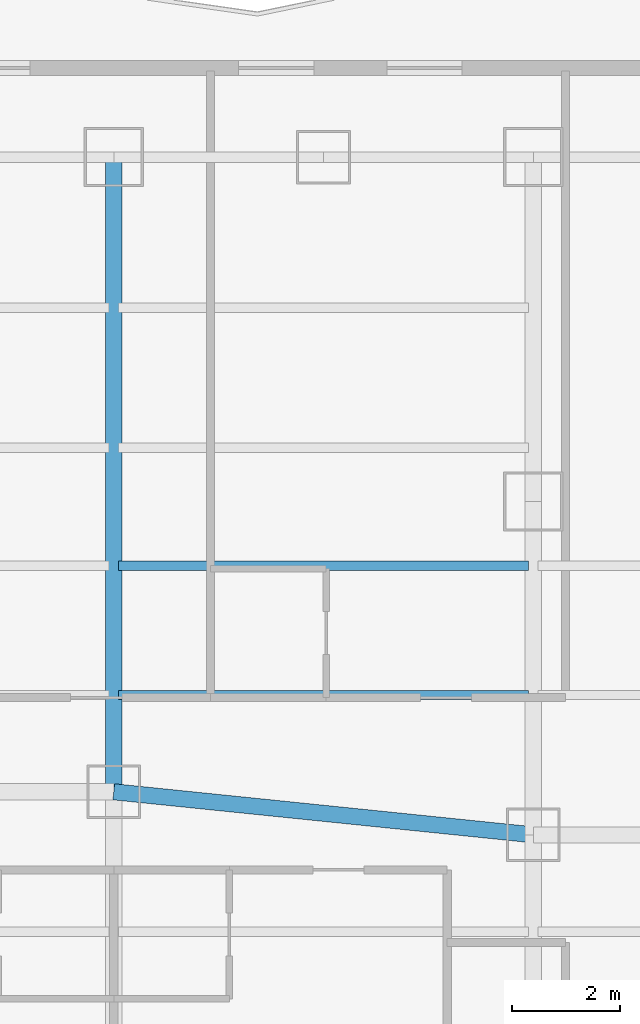
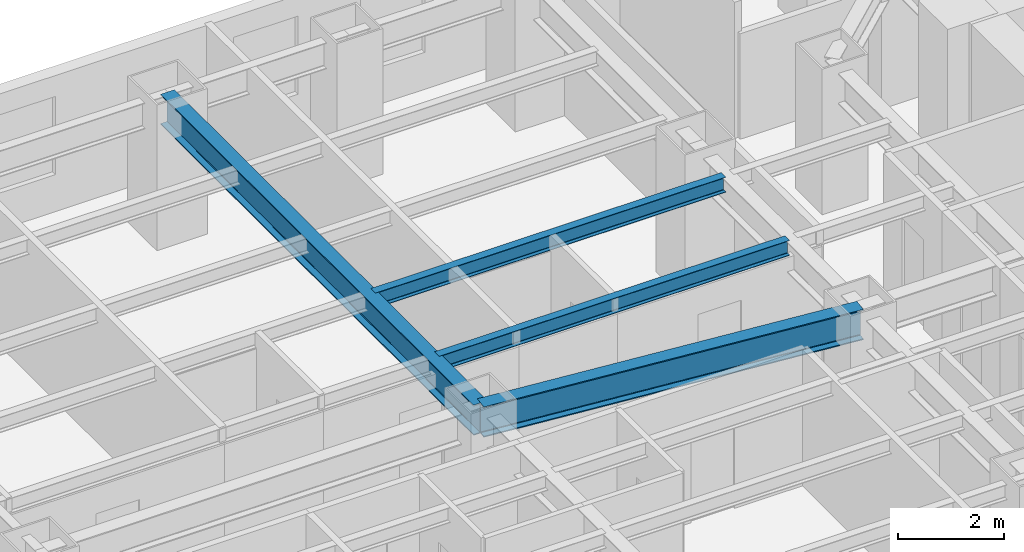
# One storey, part 15 of 32: 4 beams.
"""IFC4 building model written with IfcOpenShell, lengths in metres."""

from ifc_helpers import new_model, si_unit, direction, frame, origin, origin_2d, place, context, subcontext, project, spatial, i_section, extrude, material, material_profile, profile_set, type_object, element, save


model = new_model("IFC4")

# Units and contexts
model_context = context("Model", 3, precision=1e-05, world=origin(), true_north=direction((0.0, 1.0)))
body_context = subcontext(model_context, "Body", "Model", "MODEL_VIEW")
ifc_project = project(units=[si_unit("LENGTHUNIT", "METRE"), si_unit("AREAUNIT", "SQUARE_METRE"), si_unit("VOLUMEUNIT", "CUBIC_METRE"), si_unit("PLANEANGLEUNIT", "RADIAN"), si_unit("MASSUNIT", "GRAM", prefix="KILO")], contexts=[model_context])

# Site, building, storey
site_placement = place(None, origin())
site = spatial("IfcSite", under=ifc_project, at=site_placement, CompositionType="ELEMENT")
building_placement = place(site_placement, origin())
building = spatial("IfcBuilding", under=site, at=building_placement, Name="Hatsunagi Terrace Concourse", CompositionType="ELEMENT")
storey_placement = place(building_placement, frame((0.0, 0.0, 36.60009765625)))
storey = spatial("IfcBuildingStorey", under=building, at=storey_placement, Name="L08", CompositionType="ELEMENT", Elevation=36.60009765625)

# Beams
ifc_material_1 = material(Name="Steel SN490B", Category="steel")
ifc_material_profile_1 = material_profile(ifc_material_1, i_section(OverallWidth=0.300048828125, OverallDepth=0.699951171875, WebThickness=0.012939453125, FlangeThickness=0.02392578125, FilletRadius=0.02197265625, at=origin_2d()), Name="H-700x300x13x24")
ifc_profile_set_1 = profile_set([ifc_material_profile_1], Name="Steel SN490B")
beam_type_1 = type_object("IfcBeamType", Name="HotelFloorGirder_H_700x300", PredefinedType="BEAM", material=ifc_profile_set_1)
beam_1_placement = place(storey_placement, frame((11.39990234375, 36.800048828125, 2.77978515625), z_axis=(0.0, 1.0, 0.0), x_axis=(-1.0, 0.0, 0.0)))
element("IfcBeam", 1, at=beam_1_placement, inside=storey, type_object=beam_type_1, Name="Beam G-04 BM-L08-NS-11-36", PredefinedType="BEAM", context=body_context, shape_type="SweptSolid", body=[
    extrude(i_section(OverallWidth=0.300048828125, OverallDepth=0.699951171875, WebThickness=0.012939453125, FlangeThickness=0.02392578125, FilletRadius=0.02197265625, at=origin_2d()), origin(), (0.0, 0.0, 1.0), 11.800048828125),
])
beam_2_placement = place(storey_placement, frame((11.39990234375, 36.800048828125, 2.77978515625), z_axis=(0.994780871372, -0.102034395927, 0.0), x_axis=(0.102034395927, 0.994780871372, 0.0)))
element("IfcBeam", 2, at=beam_2_placement, inside=storey, type_object=beam_type_1, Name="Beam G-04 BM-L08-EW-2", PredefinedType="BEAM", context=body_context, shape_type="SweptSolid", body=[
    extrude(i_section(OverallWidth=0.300048828125, OverallDepth=0.699951171875, WebThickness=0.012939453125, FlangeThickness=0.02392578125, FilletRadius=0.02197265625, at=origin_2d()), origin(), (0.0, 0.0, 1.0), 7.841064453125),
])
ifc_material_2 = material(Name="Steel SN490B", Category="steel")
ifc_material_profile_2 = material_profile(ifc_material_2, i_section(OverallWidth=0.175048828125, OverallDepth=0.35009765625, WebThickness=0.007080078125, FlangeThickness=0.010986328125, FilletRadius=0.012939453125, at=origin_2d()), Name="H-350x175x7x11")
ifc_profile_set_2 = profile_set([ifc_material_profile_2], Name="Steel SN490B")
beam_type_2 = type_object("IfcBeamType", Name="HotelJoist_H_350x175", PredefinedType="JOIST", material=ifc_profile_set_2)
for number, where, z_axis, x_axis, name in (
    (3, (11.485107421875, 38.60009765625, 2.954833984375), (1.0, 0.0, 0.0), (0.0, 1.0, 0.0), "Beam J-02 J-L08-W-11-386"),
    (4, (11.485107421875, 41.0, 2.954833984375), (1.0, 0.0, 0.0), (0.0, 1.0, 0.0), "Beam J-02 J-L08-W-11-410"),
):
    element("IfcBeam", number, at=place(storey_placement, frame(where, z_axis=z_axis, x_axis=x_axis)), inside=storey, type_object=beam_type_2, Name=name, PredefinedType="JOIST", context=body_context, shape_type="SweptSolid", body=[
        extrude(i_section(OverallWidth=0.175048828125, OverallDepth=0.35009765625, WebThickness=0.007080078125, FlangeThickness=0.010986328125, FilletRadius=0.012939453125, at=origin_2d()), origin(), (0.0, 0.0, 1.0), 7.6298828125),
    ])

save(model, "model.ifc")
